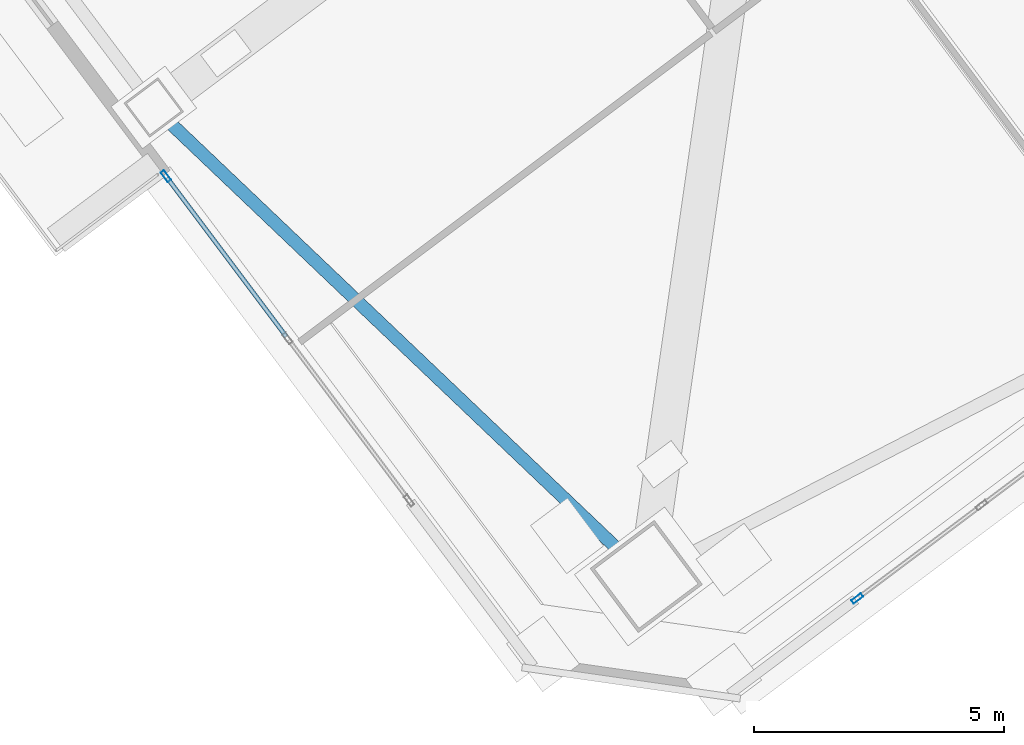
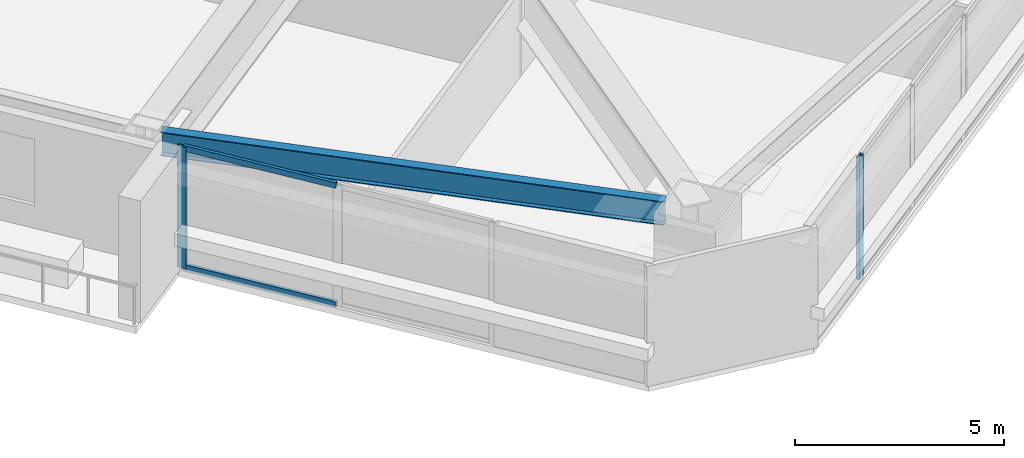
# One storey, part 21 of 48: 4 members, 1 beam, 2 elements without a shape of their own.
"""IFC4 building model written with IfcOpenShell, lengths in metres."""

import ifcopenshell
import ifcopenshell.guid

model = None  # the IFC model being written
_history = None  # IfcOwnerHistory: only IFC2X3 demands one
_inside = {}  # id of a spatial element -> (the spatial element, [elements in it])
_under = {}  # id of a project, library or spatial element -> (it, [spatial elements below it])
_declared = {}  # id of a project -> (the project, [libraries it declares])
_typed = {}  # id of a type object -> (the type object, [elements of that type])
_made_of = {}  # id of a material, layer set ... -> (it, [elements and type objects made of it])


def new_model(schema):
    """Start an empty IFC model of exactly this schema.

    Asked for "IFC4X3", IfcOpenShell would pick the latest addendum, in which some entities
    have other attributes; the version numbers below select the first issue.
    IFC2X3 requires an IfcOwnerHistory on every rooted entity: one is made here for all.
    """
    global model, _history
    if schema == "IFC4X3":
        model = ifcopenshell.file(schema_version=(4, 3, 0, 0))
    else:
        model = ifcopenshell.file(schema=schema)
    _inside.clear()
    _under.clear()
    _declared.clear()
    _typed.clear()
    _made_of.clear()
    _history = None
    if model.schema == "IFC2X3":
        org = make("IfcOrganization", Name="unknown")
        user = make(
            "IfcPersonAndOrganization",
            ThePerson=make("IfcPerson", FamilyName="unknown"),
            TheOrganization=org,
        )
        app = make(
            "IfcApplication",
            ApplicationDeveloper=org,
            Version="unknown",
            ApplicationFullName="unknown",
            ApplicationIdentifier="unknown",
        )
        _history = make(
            "IfcOwnerHistory",
            OwningUser=user,
            OwningApplication=app,
            ChangeAction="ADDED",
            CreationDate=0,
        )
    return model


def make(cls, **values):
    """One entity of the class cls with the attributes given. An attribute that is None is left unset."""
    return model.create_entity(
        cls, **{name: value for name, value in values.items() if value is not None}
    )


def rooted(cls, **values):
    """An entity with a GlobalId (a new one), such as an element, a storey or a relation."""
    return make(cls, GlobalId=ifcopenshell.guid.new(), OwnerHistory=_history, **values)


def si_unit(unit_type, name, prefix=None):
    """IfcSIUnit, for example si_unit("LENGTHUNIT", "METRE", prefix="MILLI")."""
    return make("IfcSIUnit", UnitType=unit_type, Prefix=prefix, Name=name)


def assignment(units):
    """IfcUnitAssignment: the units of a project."""
    return None if units is None else make("IfcUnitAssignment", Units=units)


def point(xyz):
    """IfcCartesianPoint."""
    return None if xyz is None else make("IfcCartesianPoint", Coordinates=xyz)


def direction(xyz):
    """IfcDirection."""
    return None if xyz is None else make("IfcDirection", DirectionRatios=xyz)


def frame(location, z_axis=None, x_axis=None):
    """IfcAxis2Placement3D, a coordinate frame: its origin and axes. An axis left out is left unset."""
    return make(
        "IfcAxis2Placement3D",
        Location=point(location),
        Axis=direction(z_axis),
        RefDirection=direction(x_axis),
    )


def frame_2d(location, x_axis=None):
    """IfcAxis2Placement2D, a coordinate frame in the plane: its origin and x axis."""
    return make(
        "IfcAxis2Placement2D", Location=point(location), RefDirection=direction(x_axis)
    )


def origin():
    """The frame at (0, 0, 0) with its axes left unset."""
    return frame((0.0, 0.0, 0.0))


def origin_2d():
    """The frame at (0, 0) in the plane with its x axis left unset."""
    return frame_2d((0.0, 0.0))


def place(relative_to, where):
    """IfcLocalPlacement: puts the frame where relative to a parent placement (None: the world)."""
    return make(
        "IfcLocalPlacement", PlacementRelTo=relative_to, RelativePlacement=where
    )


def context(
    kind, dimensions, precision=None, world=None, true_north=None, identifier=None
):
    """IfcGeometricRepresentationContext, for example the 3D "Model" context."""
    return make(
        "IfcGeometricRepresentationContext",
        ContextIdentifier=identifier,
        ContextType=kind,
        CoordinateSpaceDimension=dimensions,
        Precision=precision,
        WorldCoordinateSystem=world,
        TrueNorth=true_north,
    )


def subcontext(parent, identifier, kind, view, scale=None):
    """IfcGeometricRepresentationSubContext, for example "Body" below "Model"."""
    return make(
        "IfcGeometricRepresentationSubContext",
        ContextIdentifier=identifier,
        ContextType=kind,
        ParentContext=parent,
        TargetScale=scale,
        TargetView=view,
    )


def project(units=None, contexts=None):
    """IfcProject with its units and contexts."""
    return rooted(
        "IfcProject",
        Name="project",
        RepresentationContexts=contexts,
        UnitsInContext=assignment(units),
    )


def spatial(cls, under=None, at=None, **own):
    """A site, building, storey or space (cls), placed at a placement, below another one or the project."""
    s = rooted(cls, ObjectPlacement=at, **own)
    if under is not None:
        _under.setdefault(under.id(), (under, []))[1].append(s)
    return s


def profile(cls, at=None, kind="AREA", **sizes):
    """A parametric profile (cls). Its sizes go by their IFC names, for example OverallWidth=200.0."""
    return make(cls, ProfileType=kind, Position=at, **sizes)


def hollow_rectangle(**sizes):
    """IfcRectangleHollowProfileDef."""
    return profile("IfcRectangleHollowProfileDef", **sizes)


def i_section(**sizes):
    """IfcIShapeProfileDef."""
    return profile("IfcIShapeProfileDef", **sizes)


def extrude(swept, where, along, depth):
    """IfcExtrudedAreaSolid: the profile swept, set in the frame where, extruded along a direction by depth."""
    return make(
        "IfcExtrudedAreaSolid",
        SweptArea=swept,
        Position=where,
        ExtrudedDirection=direction(along),
        Depth=depth,
    )


def shape(context_of_items, identifier, shape_type, items):
    """IfcShapeRepresentation: the items that make up one representation, for example the "Body"."""
    return make(
        "IfcShapeRepresentation",
        ContextOfItems=context_of_items,
        RepresentationIdentifier=identifier,
        RepresentationType=shape_type,
        Items=items,
    )


def material(Name=None, Category=None):
    """IfcMaterial."""
    return make("IfcMaterial", Name=Name, Category=Category)


def material_profile(
    of_material, cross_section, Name=None, Category=None, Priority=None
):
    """IfcMaterialProfile: a cross section and its material."""
    return make(
        "IfcMaterialProfile",
        Name=Name,
        Material=of_material,
        Profile=cross_section,
        Priority=Priority,
        Category=Category,
    )


def profile_set(profiles, Name=None, composite=None):
    """IfcMaterialProfileSet."""
    return make(
        "IfcMaterialProfileSet",
        Name=Name,
        MaterialProfiles=profiles,
        CompositeProfile=composite,
    )


def made_of(thing, what):
    """Note that an element or type object is made of a material, layer set ...; save() writes the relation."""
    if what is not None:
        _made_of.setdefault(what.id(), (what, []))[1].append(thing)
    return thing


def type_object(cls, material=None, **own):
    """A type object (cls), such as IfcWallType, which elements share."""
    return made_of(rooted(cls, **own), material)


def element(
    cls,
    number,
    at=None,
    inside=None,
    cuts=None,
    type_object=None,
    material=None,
    context=None,
    identifier="Body",
    shape_type=None,
    held_by="IfcProductDefinitionShape",
    body=None,
    shapes=None,
    **own,
):
    """One element of the class cls, such as IfcWall. Its Tag is "e" and its number.

    at: its placement. inside: the storey or other place that contains it. cuts: it is an
    opening in that element (IfcRelVoidsElement). A single representation is given by context,
    identifier, shape_type and body (its items); several are given by shapes. held_by: the class
    of the entity that holds the representations. save() writes the other relations.
    """
    e = rooted(cls, Tag="e%d" % number, ObjectPlacement=at, **own)
    if body is not None:
        shapes = [shape(context, identifier, shape_type, body)]
    if shapes is not None:
        e.Representation = make(held_by, Representations=shapes)
    if inside is not None:
        _inside.setdefault(inside.id(), (inside, []))[1].append(e)
    if cuts is not None:
        rooted(
            "IfcRelVoidsElement", RelatingBuildingElement=cuts, RelatedOpeningElement=e
        )
    if type_object is not None:
        _typed.setdefault(type_object.id(), (type_object, []))[1].append(e)
    return made_of(e, material)


def aggregate(whole, parts):
    """IfcRelAggregates: a whole, such as a stair, and the parts it consists of."""
    return rooted("IfcRelAggregates", RelatingObject=whole, RelatedObjects=parts)


def save(model, path):
    """Write the relations noted so far, then the file.

    IfcRelAggregates (storeys below a building ...), IfcRelContainedInSpatialStructure (elements
    in a storey), IfcRelDefinesByType, IfcRelAssociatesMaterial and IfcRelDeclares: one each for
    every whole, place, type object, material and project.
    """
    for whole, parts in _under.values():
        aggregate(whole, parts)
    for where, things in _inside.values():
        rooted(
            "IfcRelContainedInSpatialStructure",
            RelatedElements=things,
            RelatingStructure=where,
        )
    for kind, things in _typed.values():
        rooted("IfcRelDefinesByType", RelatedObjects=things, RelatingType=kind)
    for what, things in _made_of.values():
        rooted("IfcRelAssociatesMaterial", RelatedObjects=things, RelatingMaterial=what)
    for by, libraries in _declared.values():
        rooted("IfcRelDeclares", RelatingContext=by, RelatedDefinitions=libraries)
    model.write(path)


model = new_model("IFC4")

# Units and contexts
model_context = context("Model", 3, precision=1e-05, world=origin(), true_north=direction((0.0, 1.0)))
body_context = subcontext(model_context, "Body", "Model", "MODEL_VIEW")
ifc_project = project(units=[si_unit("LENGTHUNIT", "METRE"), si_unit("AREAUNIT", "SQUARE_METRE"), si_unit("VOLUMEUNIT", "CUBIC_METRE"), si_unit("PLANEANGLEUNIT", "RADIAN"), si_unit("MASSUNIT", "GRAM", prefix="KILO")], contexts=[model_context])

# Site, building, storey
site_placement = place(None, origin())
site = spatial("IfcSite", under=ifc_project, at=site_placement, CompositionType="ELEMENT")
building_placement = place(site_placement, origin())
building = spatial("IfcBuilding", under=site, at=building_placement, Name="Tashvorn Skyway Center", CompositionType="ELEMENT")
storey_placement = place(building_placement, frame((0.0, 0.0, 63.64990234375)))
storey = spatial("IfcBuildingStorey", under=building, at=storey_placement, Name="L16", CompositionType="ELEMENT", Elevation=63.64990234375)

# Beam
ifc_material_1 = material(Name="Steel ASTM A992 Grade 50", Category="steel")
ifc_material_profile_1 = material_profile(ifc_material_1, i_section(OverallWidth=0.256103515625, OverallDepth=0.693115234375, WebThickness=0.014404296875, FlangeThickness=0.023681640625, at=origin_2d()), Name="W27X114")
ifc_profile_set_1 = profile_set([ifc_material_profile_1], Name="Steel ASTM A992 Grade 50")
beam_type = type_object("IfcBeamType", Name="BM-SPANDREL-W27X114", PredefinedType="SPANDREL", material=ifc_profile_set_1)
beam_placement = place(storey_placement, frame((100.7041015625, 14.76025390625, 3.003662109375), z_axis=(0.724200339835, -0.689589637236, 0.0), x_axis=(0.689589637236, 0.724200339835, 0.0)))
element("IfcBeam", 1, at=beam_placement, inside=storey, type_object=beam_type, Name="Tower 2 L16 Spandrel Beam 12", PredefinedType="SPANDREL", context=body_context, shape_type="SweptSolid", body=[
    extrude(i_section(OverallWidth=0.256103515625, OverallDepth=0.693115234375, WebThickness=0.014404296875, FlangeThickness=0.023681640625, at=origin_2d()), origin(), (0.0, 0.0, 1.0), 12.37255859375),
])

# Curtain wall, member
ifc_material_2 = material(Name="Thermally broken bronze-anodized aluminium 6063-T6", Category="aluminium")
curtain_wall_type = type_object("IfcCurtainWallType", Name="CW-CW-Z1", PredefinedType="NOTDEFINED", material=ifc_material_2)
curtain_wall_1_placement = place(storey_placement, origin())
curtain_wall_1 = element("IfcCurtainWall", 2, at=curtain_wall_1_placement, inside=storey, type_object=curtain_wall_type, Name="Tower 2 L16 South Unitised Curtain Wall Glazing Group 3", PredefinedType="NOTDEFINED")
ifc_material_profile_2 = material_profile(ifc_material_2, hollow_rectangle(XDim=0.0849609375, YDim=0.239990234375, WallThickness=0.0048828125, at=origin_2d()), Name="ALU-MULL-85x240")
ifc_profile_set_2 = profile_set([ifc_material_profile_2], Name="Thermally broken bronze-anodized aluminium 6063-T6")
member_type_1 = type_object("IfcMemberType", Name="CWM-CW-Z1", PredefinedType="MULLION", material=ifc_profile_set_2)
member_1_placement = place(storey_placement, frame((114.455322265625, 5.241455078125, 0.0), z_axis=(0.0, 0.0, 1.0), x_axis=(0.599997457641, -0.800001906763, 0.0)))
member_1 = element("IfcMember", 3, at=member_1_placement, type_object=member_type_1, Name="CW-Z1 mullion 3", PredefinedType="MULLION", context=body_context, shape_type="SweptSolid", body=[
    extrude(hollow_rectangle(XDim=0.0849609375, YDim=0.239990234375, WallThickness=0.0048828125, at=origin_2d()), origin(), (0.0, 0.0, 1.0), 3.550048828125),
])
aggregate(curtain_wall_1, [member_1])

# Curtain wall, members
curtain_wall_2_placement = place(storey_placement, origin())
curtain_wall_2 = element("IfcCurtainWall", 4, at=curtain_wall_2_placement, inside=storey, type_object=curtain_wall_type, Name="Tower 2 L16 West Curtain Wall L Glazing Group 1", PredefinedType="NOTDEFINED")
member_2_placement = place(storey_placement, frame((100.6416015625, 13.677978515625, 0.0), z_axis=(0.0, 0.0, 1.0), x_axis=(-0.799998534192, -0.600001954406, 0.0)))
member_2 = element("IfcMember", 5, at=member_2_placement, type_object=member_type_1, Name="CW-Z1 mullion 3", PredefinedType="MULLION", context=body_context, shape_type="SweptSolid", body=[
    extrude(hollow_rectangle(XDim=0.0849609375, YDim=0.239990234375, WallThickness=0.0048828125, at=origin_2d()), origin(), (0.0, 0.0, 1.0), 3.550048828125),
])
ifc_material_profile_3 = material_profile(ifc_material_2, hollow_rectangle(XDim=0.0849609375, YDim=0.1650390625, WallThickness=0.0048828125, at=origin_2d()), Name="ALU-TRAN-85x165")
ifc_profile_set_3 = profile_set([ifc_material_profile_3], Name="Thermally broken bronze-anodized aluminium 6063-T6")
member_type_2 = type_object("IfcMemberType", Name="CWT-CW-Z1", PredefinedType="USERDEFINED", material=ifc_profile_set_3)
member_3_placement = place(storey_placement, frame((103.04638671875, 10.471435546875, 0.04248046875), z_axis=(-0.599990149921, 0.800007387464, 0.0), x_axis=(-0.800007387464, -0.599990149921, 0.0)))
member_3 = element("IfcMember", 6, at=member_3_placement, type_object=member_type_2, Name="CW-Z1 transom 2.1", ObjectType="TRANSOM", PredefinedType="USERDEFINED", context=body_context, shape_type="SweptSolid", body=[
    extrude(hollow_rectangle(XDim=0.0849609375, YDim=0.1650390625, WallThickness=0.0048828125, at=origin_2d()), origin(), (0.0, 0.0, 1.0), 3.9658203125),
])
member_4_placement = place(storey_placement, frame((103.04638671875, 10.471435546875, 3.507568359375), z_axis=(-0.599990149921, 0.800007387464, 0.0), x_axis=(-0.800007387464, -0.599990149921, 0.0)))
member_4 = element("IfcMember", 7, at=member_4_placement, type_object=member_type_2, Name="CW-Z1 transom 2.2", ObjectType="TRANSOM", PredefinedType="USERDEFINED", context=body_context, shape_type="SweptSolid", body=[
    extrude(hollow_rectangle(XDim=0.0849609375, YDim=0.1650390625, WallThickness=0.0048828125, at=origin_2d()), origin(), (0.0, 0.0, 1.0), 3.9658203125),
])
aggregate(curtain_wall_2, [member_2, member_3, member_4])

save(model, "model.ifc")
